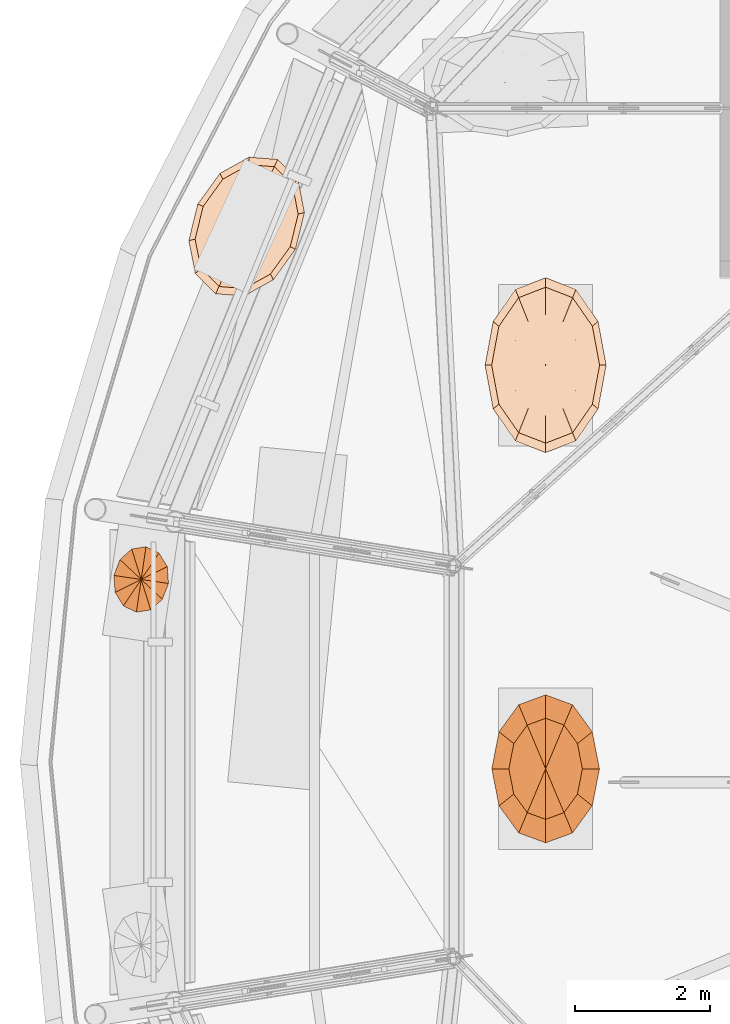
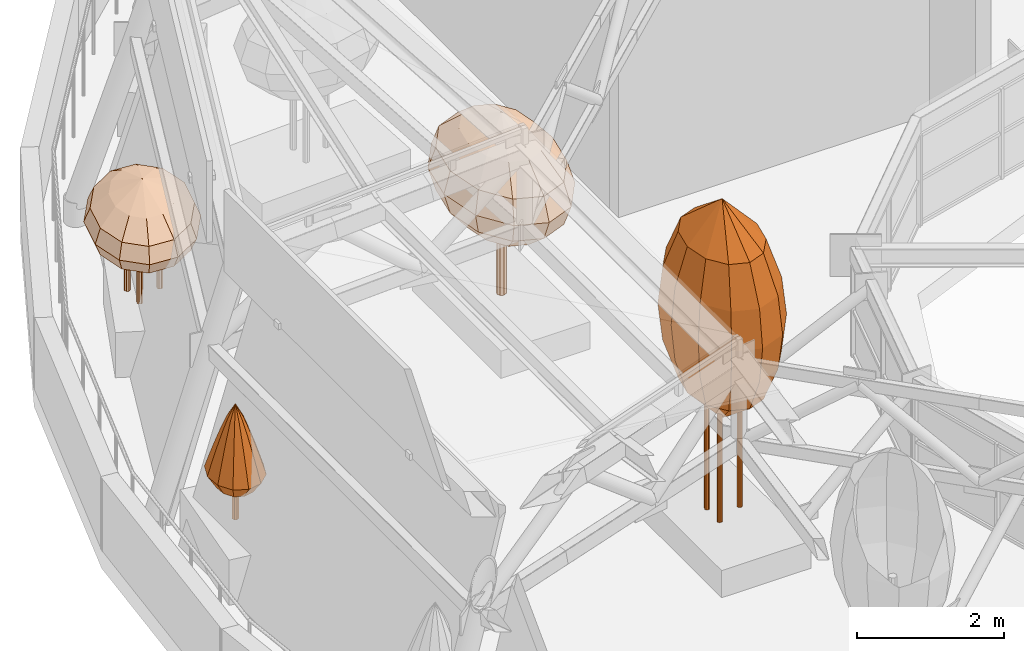
# One storey, part 34 of 40: 4 geographic elements.
"""IFC4 building model written with IfcOpenShell, lengths in metres."""

from ifc_helpers import new_model, si_unit, direction, frame, origin, place, context, subcontext, project, spatial, faceted_brep, material, constituent, constituent_set, type_object, element, save


model = new_model("IFC4")

# Units and contexts
model_context = context("Model", 3, precision=1e-05, world=origin(), true_north=direction((0.0, 1.0)))
body_context = subcontext(model_context, "Body", "Model", "MODEL_VIEW")
ifc_project = project(units=[si_unit("LENGTHUNIT", "METRE"), si_unit("AREAUNIT", "SQUARE_METRE"), si_unit("VOLUMEUNIT", "CUBIC_METRE"), si_unit("PLANEANGLEUNIT", "RADIAN"), si_unit("MASSUNIT", "GRAM", prefix="KILO")], contexts=[model_context])

# Site, building, storey
site_placement = place(None, origin())
site = spatial("IfcSite", under=ifc_project, at=site_placement, CompositionType="ELEMENT")
building_placement = place(site_placement, origin())
building = spatial("IfcBuilding", under=site, at=building_placement, Name="Taillehof Tower", CompositionType="ELEMENT")
storey_placement = place(building_placement, frame((0.0, 0.0, 275.199951171875)))
storey = spatial("IfcBuildingStorey", under=building, at=storey_placement, Name="L77", CompositionType="ELEMENT", Elevation=275.199951171875)

# Geographic elements
ifc_material_1 = material(Name="Tree bark", Category="timber")
ifc_constituent_1 = constituent(ifc_material_1, Name="Trunk", Category="timber")
ifc_material_2 = material(Name="Tree foliage")
ifc_constituent_2 = constituent(ifc_material_2, Name="Crown")
ifc_constituent_set_1 = constituent_set(constituents=[ifc_constituent_1, ifc_constituent_2], Name="Tree TR10 Scots pine standard")
geographic_element_type_1 = type_object("IfcGeographicElementType", Name="Tree TR10 Scots pine standard", PredefinedType="USERDEFINED", material=ifc_constituent_set_1)
geographic_element_1_placement = place(storey_placement, frame((-23.1015625, 3.014892578125, 0.75)))
element("IfcGeographicElement", 1, at=geographic_element_1_placement, inside=storey, type_object=geographic_element_type_1, Name="Tree TR10 Scots pine standard", ObjectType="TREE", PredefinedType="USERDEFINED", context=body_context, shape_type="Brep", body=[
    faceted_brep([(0.050048828125, 0.0, 0.0), (0.035400390625, 0.035400390625, 0.0), (0.035400390625, 0.035400390625, 1.035400390625), (0.050048828125, 0.0, 1.035400390625), (0.0, 0.050048828125, 0.0), (0.0, 0.050048828125, 1.035400390625), (-0.035400390625, 0.035400390625, 0.0), (-0.035400390625, 0.035400390625, 1.035400390625), (-0.050048828125, 0.0, 0.0), (-0.050048828125, 0.0, 1.035400390625), (-0.035400390625, -0.035400390625, 0.0), (-0.035400390625, -0.035400390625, 1.035400390625), (0.0, -0.050048828125, 0.0), (0.0, -0.050048828125, 1.035400390625), (0.035400390625, -0.035400390625, 0.0), (0.035400390625, -0.035400390625, 1.035400390625)], [[[0, 1, 2, 3]], [[1, 4, 5, 2]], [[4, 6, 7, 5]], [[6, 8, 9, 7]], [[8, 10, 11, 9]], [[10, 12, 13, 11]], [[12, 14, 15, 13]], [[14, 0, 3, 15]], [[14, 12, 10, 8, 6, 4, 1, 0]], [[3, 2, 5, 7, 9, 11, 13, 15]]]),
    faceted_brep([(-0.0478515625, -0.326416015625, 0.570068359375), (0.094482421875, -0.302734375, 0.570068359375), (0.14111328125, -0.451904296875, 0.791748046875), (-0.071533203125, -0.4873046875, 0.791748046875), (0.211669921875, -0.19775390625, 0.570068359375), (0.31591796875, -0.29541015625, 0.791748046875), (0.27197265625, -0.0400390625, 0.570068359375), (0.40625, -0.0595703125, 0.791748046875), (0.259521484375, 0.128662109375, 0.570068359375), (0.387451171875, 0.192138671875, 0.791748046875), (0.177490234375, 0.2626953125, 0.570068359375), (0.26513671875, 0.392333984375, 0.791748046875), (0.0478515625, 0.326416015625, 0.570068359375), (0.071533203125, 0.4873046875, 0.791748046875), (-0.094482421875, 0.302734375, 0.570068359375), (-0.14111328125, 0.451904296875, 0.791748046875), (-0.211669921875, 0.19775390625, 0.570068359375), (-0.31591796875, 0.29541015625, 0.791748046875), (-0.27197265625, 0.0400390625, 0.570068359375), (-0.40625, 0.0595703125, 0.791748046875), (-0.259521484375, -0.128662109375, 0.570068359375), (-0.387451171875, -0.192138671875, 0.791748046875), (-0.177490234375, -0.2626953125, 0.570068359375), (-0.26513671875, -0.392333984375, 0.791748046875), (0.117919921875, -0.3779296875, 1.013427734375), (-0.059814453125, -0.40771484375, 1.013427734375), (0.264404296875, -0.2470703125, 1.013427734375), (0.33984375, -0.0498046875, 1.013427734375), (0.32421875, 0.16064453125, 1.013427734375), (0.2216796875, 0.328125, 1.013427734375), (0.059814453125, 0.40771484375, 1.013427734375), (-0.117919921875, 0.3779296875, 1.013427734375), (-0.264404296875, 0.2470703125, 1.013427734375), (-0.33984375, 0.0498046875, 1.013427734375), (-0.32421875, -0.16064453125, 1.013427734375), (-0.2216796875, -0.328125, 1.013427734375), (0.09375, -0.30029296875, 1.235107421875), (-0.047607421875, -0.323974609375, 1.235107421875), (0.2099609375, -0.1962890625, 1.235107421875), (0.27001953125, -0.03955078125, 1.235107421875), (0.257568359375, 0.127685546875, 1.235107421875), (0.17626953125, 0.2607421875, 1.235107421875), (0.047607421875, 0.323974609375, 1.235107421875), (-0.09375, 0.30029296875, 1.235107421875), (-0.2099609375, 0.1962890625, 1.235107421875), (-0.27001953125, 0.03955078125, 1.235107421875), (-0.257568359375, -0.127685546875, 1.235107421875), (-0.17626953125, -0.2607421875, 1.235107421875), (0.06787109375, -0.217041015625, 1.456787109375), (-0.034423828125, -0.234130859375, 1.456787109375), (0.15185546875, -0.141845703125, 1.456787109375), (0.195068359375, -0.028564453125, 1.456787109375), (0.186279296875, 0.09228515625, 1.456787109375), (0.12744140625, 0.1884765625, 1.456787109375), (0.034423828125, 0.234130859375, 1.456787109375), (-0.06787109375, 0.217041015625, 1.456787109375), (-0.15185546875, 0.141845703125, 1.456787109375), (-0.195068359375, 0.028564453125, 1.456787109375), (-0.186279296875, -0.09228515625, 1.456787109375), (-0.12744140625, -0.1884765625, 1.456787109375), (0.038818359375, -0.124755859375, 1.67822265625), (-0.019775390625, -0.134521484375, 1.67822265625), (0.087158203125, -0.08154296875, 1.67822265625), (0.112060546875, -0.016357421875, 1.67822265625), (0.10693359375, 0.052978515625, 1.67822265625), (0.0732421875, 0.108154296875, 1.67822265625), (0.019775390625, 0.134521484375, 1.67822265625), (-0.038818359375, 0.124755859375, 1.67822265625), (-0.087158203125, 0.08154296875, 1.67822265625), (-0.112060546875, 0.016357421875, 1.67822265625), (-0.10693359375, -0.052978515625, 1.67822265625), (-0.0732421875, -0.108154296875, 1.67822265625), (0.0, 0.0, 1.89990234375)], [[[0, 1, 2, 3]], [[1, 4, 5, 2]], [[4, 6, 7, 5]], [[6, 8, 9, 7]], [[8, 10, 11, 9]], [[10, 12, 13, 11]], [[12, 14, 15, 13]], [[14, 16, 17, 15]], [[16, 18, 19, 17]], [[18, 20, 21, 19]], [[20, 22, 23, 21]], [[22, 0, 3, 23]], [[3, 2, 24, 25]], [[2, 5, 26, 24]], [[5, 7, 27, 26]], [[7, 9, 28, 27]], [[9, 11, 29, 28]], [[11, 13, 30, 29]], [[13, 15, 31, 30]], [[15, 17, 32, 31]], [[17, 19, 33, 32]], [[19, 21, 34, 33]], [[21, 23, 35, 34]], [[23, 3, 25, 35]], [[25, 24, 36, 37]], [[24, 26, 38, 36]], [[26, 27, 39, 38]], [[27, 28, 40, 39]], [[28, 29, 41, 40]], [[29, 30, 42, 41]], [[30, 31, 43, 42]], [[31, 32, 44, 43]], [[32, 33, 45, 44]], [[33, 34, 46, 45]], [[34, 35, 47, 46]], [[35, 25, 37, 47]], [[37, 36, 48, 49]], [[36, 38, 50, 48]], [[38, 39, 51, 50]], [[39, 40, 52, 51]], [[40, 41, 53, 52]], [[41, 42, 54, 53]], [[42, 43, 55, 54]], [[43, 44, 56, 55]], [[44, 45, 57, 56]], [[45, 46, 58, 57]], [[46, 47, 59, 58]], [[47, 37, 49, 59]], [[49, 48, 60, 61]], [[48, 50, 62, 60]], [[50, 51, 63, 62]], [[51, 52, 64, 63]], [[52, 53, 65, 64]], [[53, 54, 66, 65]], [[54, 55, 67, 66]], [[55, 56, 68, 67]], [[56, 57, 69, 68]], [[57, 58, 70, 69]], [[58, 59, 71, 70]], [[59, 49, 61, 71]], [[61, 60, 72]], [[60, 62, 72]], [[62, 63, 72]], [[63, 64, 72]], [[64, 65, 72]], [[65, 66, 72]], [[66, 67, 72]], [[67, 68, 72]], [[68, 69, 72]], [[69, 70, 72]], [[70, 71, 72]], [[71, 61, 72]], [[22, 20, 18, 16, 14, 12, 10, 8, 6, 4, 1, 0]]]),
])
ifc_material_3 = material(Name="Tree bark", Category="timber")
ifc_constituent_3 = constituent(ifc_material_3, Name="Trunk", Category="timber")
ifc_material_4 = material(Name="Tree foliage")
ifc_constituent_4 = constituent(ifc_material_4, Name="Crown")
ifc_constituent_set_2 = constituent_set(constituents=[ifc_constituent_3, ifc_constituent_4], Name="Tree TR6 Field maple")
geographic_element_type_2 = type_object("IfcGeographicElementType", Name="Tree TR6 Field maple", PredefinedType="USERDEFINED", material=ifc_constituent_set_2)
geographic_element_2_placement = place(storey_placement, frame((-17.090087890625, 6.199951171875, 0.449951171875)))
element("IfcGeographicElement", 2, at=geographic_element_2_placement, inside=storey, type_object=geographic_element_type_2, Name="Tree TR6 Field maple", ObjectType="TREE", PredefinedType="USERDEFINED", context=body_context, shape_type="Brep", body=[
    faceted_brep([(0.070068359375, 0.0, 0.0), (0.049560546875, 0.049560546875, 0.0), (0.049560546875, 0.049560546875, 1.635009765625), (0.070068359375, 0.0, 1.635009765625), (0.0, 0.070068359375, 0.0), (0.0, 0.070068359375, 1.635009765625), (-0.049560546875, 0.049560546875, 0.0), (-0.049560546875, 0.049560546875, 1.635009765625), (-0.070068359375, 0.0, 0.0), (-0.070068359375, 0.0, 1.635009765625), (-0.049560546875, -0.049560546875, 0.0), (-0.049560546875, -0.049560546875, 1.635009765625), (0.0, -0.070068359375, 0.0), (0.0, -0.070068359375, 1.635009765625), (0.049560546875, -0.049560546875, 0.0), (0.049560546875, -0.049560546875, 1.635009765625)], [[[0, 1, 2, 3]], [[1, 4, 5, 2]], [[4, 6, 7, 5]], [[6, 8, 9, 7]], [[8, 10, 11, 9]], [[10, 12, 13, 11]], [[12, 14, 15, 13]], [[14, 0, 3, 15]], [[14, 12, 10, 8, 6, 4, 1, 0]], [[3, 2, 5, 7, 9, 11, 13, 15]]]),
    faceted_brep([(0.0, 0.0, 0.89990234375), (-0.258544921875, 0.646728515625, 1.25), (0.0, 0.74658203125, 1.25), (-0.44775390625, 0.373291015625, 1.25), (-0.516845703125, 0.0, 1.25), (-0.44775390625, -0.373291015625, 1.25), (-0.258544921875, -0.646728515625, 1.25), (0.0, -0.74658203125, 1.25), (0.258544921875, -0.646728515625, 1.25), (0.44775390625, -0.373291015625, 1.25), (0.516845703125, 0.0, 1.25), (0.44775390625, 0.373291015625, 1.25), (0.258544921875, 0.646728515625, 1.25), (-0.401123046875, 1.00341796875, 1.60009765625), (0.0, 1.15869140625, 1.60009765625), (-0.694580078125, 0.579345703125, 1.60009765625), (-0.80224609375, 0.0, 1.60009765625), (-0.694580078125, -0.579345703125, 1.60009765625), (-0.401123046875, -1.00341796875, 1.60009765625), (0.0, -1.15869140625, 1.60009765625), (0.401123046875, -1.00341796875, 1.60009765625), (0.694580078125, -0.579345703125, 1.60009765625), (0.80224609375, 0.0, 1.60009765625), (0.694580078125, 0.579345703125, 1.60009765625), (0.401123046875, 1.00341796875, 1.60009765625), (-0.449951171875, 1.125732421875, 1.949951171875), (0.0, 1.300048828125, 1.949951171875), (-0.779541015625, 0.64990234375, 1.949951171875), (-0.89990234375, 0.0, 1.949951171875), (-0.779541015625, -0.64990234375, 1.949951171875), (-0.449951171875, -1.125732421875, 1.949951171875), (0.0, -1.300048828125, 1.949951171875), (0.449951171875, -1.125732421875, 1.949951171875), (0.779541015625, -0.64990234375, 1.949951171875), (0.89990234375, 0.0, 1.949951171875), (0.779541015625, 0.64990234375, 1.949951171875), (0.449951171875, 1.125732421875, 1.949951171875), (-0.401123046875, 1.00341796875, 2.300048828125), (0.0, 1.15869140625, 2.300048828125), (-0.694580078125, 0.579345703125, 2.300048828125), (-0.80224609375, 0.0, 2.300048828125), (-0.694580078125, -0.579345703125, 2.300048828125), (-0.401123046875, -1.00341796875, 2.300048828125), (0.0, -1.15869140625, 2.300048828125), (0.401123046875, -1.00341796875, 2.300048828125), (0.694580078125, -0.579345703125, 2.300048828125), (0.80224609375, 0.0, 2.300048828125), (0.694580078125, 0.579345703125, 2.300048828125), (0.401123046875, 1.00341796875, 2.300048828125), (-0.258544921875, 0.646728515625, 2.64990234375), (0.0, 0.74658203125, 2.64990234375), (-0.44775390625, 0.373291015625, 2.64990234375), (-0.516845703125, 0.0, 2.64990234375), (-0.44775390625, -0.373291015625, 2.64990234375), (-0.258544921875, -0.646728515625, 2.64990234375), (0.0, -0.74658203125, 2.64990234375), (0.258544921875, -0.646728515625, 2.64990234375), (0.44775390625, -0.373291015625, 2.64990234375), (0.516845703125, 0.0, 2.64990234375), (0.44775390625, 0.373291015625, 2.64990234375), (0.258544921875, 0.646728515625, 2.64990234375), (0.0, 0.0, 3.0)], [[[0, 1, 2]], [[0, 3, 1]], [[0, 4, 3]], [[0, 5, 4]], [[0, 6, 5]], [[0, 7, 6]], [[0, 8, 7]], [[0, 9, 8]], [[0, 10, 9]], [[0, 11, 10]], [[0, 12, 11]], [[0, 2, 12]], [[2, 1, 13, 14]], [[1, 3, 15, 13]], [[3, 4, 16, 15]], [[4, 5, 17, 16]], [[5, 6, 18, 17]], [[6, 7, 19, 18]], [[7, 8, 20, 19]], [[8, 9, 21, 20]], [[9, 10, 22, 21]], [[10, 11, 23, 22]], [[11, 12, 24, 23]], [[12, 2, 14, 24]], [[14, 13, 25, 26]], [[13, 15, 27, 25]], [[15, 16, 28, 27]], [[16, 17, 29, 28]], [[17, 18, 30, 29]], [[18, 19, 31, 30]], [[19, 20, 32, 31]], [[20, 21, 33, 32]], [[21, 22, 34, 33]], [[22, 23, 35, 34]], [[23, 24, 36, 35]], [[24, 14, 26, 36]], [[26, 25, 37, 38]], [[25, 27, 39, 37]], [[27, 28, 40, 39]], [[28, 29, 41, 40]], [[29, 30, 42, 41]], [[30, 31, 43, 42]], [[31, 32, 44, 43]], [[32, 33, 45, 44]], [[33, 34, 46, 45]], [[34, 35, 47, 46]], [[35, 36, 48, 47]], [[36, 26, 38, 48]], [[38, 37, 49, 50]], [[37, 39, 51, 49]], [[39, 40, 52, 51]], [[40, 41, 53, 52]], [[41, 42, 54, 53]], [[42, 43, 55, 54]], [[43, 44, 56, 55]], [[44, 45, 57, 56]], [[45, 46, 58, 57]], [[46, 47, 59, 58]], [[47, 48, 60, 59]], [[48, 38, 50, 60]], [[50, 49, 61]], [[49, 51, 61]], [[51, 52, 61]], [[52, 53, 61]], [[53, 54, 61]], [[54, 55, 61]], [[55, 56, 61]], [[56, 57, 61]], [[57, 58, 61]], [[58, 59, 61]], [[59, 60, 61]], [[60, 50, 61]]]),
])
ifc_material_5 = material(Name="Tree bark", Category="timber")
ifc_constituent_5 = constituent(ifc_material_5, Name="Trunk", Category="timber")
ifc_material_6 = material(Name="Tree foliage")
ifc_constituent_6 = constituent(ifc_material_6, Name="Crown")
ifc_constituent_set_3 = constituent_set(constituents=[ifc_constituent_5, ifc_constituent_6], Name="Tree TR7 Himalayan birch")
geographic_element_type_3 = type_object("IfcGeographicElementType", Name="Tree TR7 Himalayan birch", PredefinedType="USERDEFINED", material=ifc_constituent_set_3)
geographic_element_3_placement = place(storey_placement, frame((-17.090087890625, 0.199951171875, 0.449951171875)))
element("IfcGeographicElement", 3, at=geographic_element_3_placement, inside=storey, type_object=geographic_element_type_3, Name="Tree TR7 Himalayan birch", ObjectType="TREE", PredefinedType="USERDEFINED", context=body_context, shape_type="Brep", body=[
    faceted_brep([(0.3134765625, 0.0, 0.0), (0.30224609375, 0.027099609375, 0.0), (0.30224609375, 0.027099609375, 2.833984375), (0.3134765625, 0.0, 2.833984375), (0.27490234375, 0.03857421875, 0.0), (0.27490234375, 0.03857421875, 2.833984375), (0.247802734375, 0.027099609375, 0.0), (0.247802734375, 0.027099609375, 2.833984375), (0.236572265625, 0.0, 0.0), (0.236572265625, 0.0, 2.833984375), (0.247802734375, -0.027099609375, 0.0), (0.247802734375, -0.027099609375, 2.833984375), (0.27490234375, -0.03857421875, 0.0), (0.27490234375, -0.03857421875, 2.833984375), (0.30224609375, -0.027099609375, 0.0), (0.30224609375, -0.027099609375, 2.833984375)], [[[0, 1, 2, 3]], [[1, 4, 5, 2]], [[4, 6, 7, 5]], [[6, 8, 9, 7]], [[8, 10, 11, 9]], [[10, 12, 13, 11]], [[12, 14, 15, 13]], [[14, 0, 3, 15]], [[14, 12, 10, 8, 6, 4, 1, 0]], [[3, 2, 5, 7, 9, 11, 13, 15]]]),
    faceted_brep([(-0.09912109375, 0.173095703125, 0.0), (-0.1103515625, 0.200439453125, 0.0), (-0.1103515625, 0.200439453125, 2.833984375), (-0.09912109375, 0.173095703125, 2.833984375), (-0.137451171875, 0.211669921875, 0.0), (-0.137451171875, 0.211669921875, 2.833984375), (-0.164794921875, 0.200439453125, 0.0), (-0.164794921875, 0.200439453125, 2.833984375), (-0.176025390625, 0.173095703125, 0.0), (-0.176025390625, 0.173095703125, 2.833984375), (-0.164794921875, 0.14599609375, 0.0), (-0.164794921875, 0.14599609375, 2.833984375), (-0.137451171875, 0.134765625, 0.0), (-0.137451171875, 0.134765625, 2.833984375), (-0.1103515625, 0.14599609375, 0.0), (-0.1103515625, 0.14599609375, 2.833984375)], [[[0, 1, 2, 3]], [[1, 4, 5, 2]], [[4, 6, 7, 5]], [[6, 8, 9, 7]], [[8, 10, 11, 9]], [[10, 12, 13, 11]], [[12, 14, 15, 13]], [[14, 0, 3, 15]], [[14, 12, 10, 8, 6, 4, 1, 0]], [[3, 2, 5, 7, 9, 11, 13, 15]]]),
    faceted_brep([(-0.09912109375, -0.173095703125, 0.0), (-0.1103515625, -0.14599609375, 0.0), (-0.1103515625, -0.14599609375, 2.833984375), (-0.09912109375, -0.173095703125, 2.833984375), (-0.137451171875, -0.134765625, 0.0), (-0.137451171875, -0.134765625, 2.833984375), (-0.164794921875, -0.14599609375, 0.0), (-0.164794921875, -0.14599609375, 2.833984375), (-0.176025390625, -0.173095703125, 0.0), (-0.176025390625, -0.173095703125, 2.833984375), (-0.164794921875, -0.200439453125, 0.0), (-0.164794921875, -0.200439453125, 2.833984375), (-0.137451171875, -0.211669921875, 0.0), (-0.137451171875, -0.211669921875, 2.833984375), (-0.1103515625, -0.200439453125, 0.0), (-0.1103515625, -0.200439453125, 2.833984375)], [[[0, 1, 2, 3]], [[1, 4, 5, 2]], [[4, 6, 7, 5]], [[6, 8, 9, 7]], [[8, 10, 11, 9]], [[10, 12, 13, 11]], [[12, 14, 15, 13]], [[14, 0, 3, 15]], [[14, 12, 10, 8, 6, 4, 1, 0]], [[3, 2, 5, 7, 9, 11, 13, 15]]]),
    faceted_brep([(0.0, 0.0, 1.56005859375), (-0.273193359375, 0.650634765625, 2.166748046875), (0.0, 0.751220703125, 2.166748046875), (-0.47314453125, 0.375732421875, 2.166748046875), (-0.54638671875, 0.0, 2.166748046875), (-0.47314453125, -0.375732421875, 2.166748046875), (-0.273193359375, -0.650634765625, 2.166748046875), (0.0, -0.751220703125, 2.166748046875), (0.273193359375, -0.650634765625, 2.166748046875), (0.47314453125, -0.375732421875, 2.166748046875), (0.54638671875, 0.0, 2.166748046875), (0.47314453125, 0.375732421875, 2.166748046875), (0.273193359375, 0.650634765625, 2.166748046875), (-0.36962890625, 0.880126953125, 2.7734375), (0.0, 1.016357421875, 2.7734375), (-0.64013671875, 0.508056640625, 2.7734375), (-0.7392578125, 0.0, 2.7734375), (-0.64013671875, -0.508056640625, 2.7734375), (-0.36962890625, -0.880126953125, 2.7734375), (0.0, -1.016357421875, 2.7734375), (0.36962890625, -0.880126953125, 2.7734375), (0.64013671875, -0.508056640625, 2.7734375), (0.7392578125, 0.0, 2.7734375), (0.64013671875, 0.508056640625, 2.7734375), (0.36962890625, 0.880126953125, 2.7734375), (-0.39990234375, 0.95263671875, 3.3798828125), (0.0, 1.10009765625, 3.3798828125), (-0.69287109375, 0.550048828125, 3.3798828125), (-0.800048828125, 0.0, 3.3798828125), (-0.69287109375, -0.550048828125, 3.3798828125), (-0.39990234375, -0.95263671875, 3.3798828125), (0.0, -1.10009765625, 3.3798828125), (0.39990234375, -0.95263671875, 3.3798828125), (0.69287109375, -0.550048828125, 3.3798828125), (0.800048828125, 0.0, 3.3798828125), (0.69287109375, 0.550048828125, 3.3798828125), (0.39990234375, 0.95263671875, 3.3798828125), (-0.36962890625, 0.880126953125, 3.986572265625), (0.0, 1.016357421875, 3.986572265625), (-0.64013671875, 0.508056640625, 3.986572265625), (-0.7392578125, 0.0, 3.986572265625), (-0.64013671875, -0.508056640625, 3.986572265625), (-0.36962890625, -0.880126953125, 3.986572265625), (0.0, -1.016357421875, 3.986572265625), (0.36962890625, -0.880126953125, 3.986572265625), (0.64013671875, -0.508056640625, 3.986572265625), (0.7392578125, 0.0, 3.986572265625), (0.64013671875, 0.508056640625, 3.986572265625), (0.36962890625, 0.880126953125, 3.986572265625), (-0.273193359375, 0.650634765625, 4.59326171875), (0.0, 0.751220703125, 4.59326171875), (-0.47314453125, 0.375732421875, 4.59326171875), (-0.54638671875, 0.0, 4.59326171875), (-0.47314453125, -0.375732421875, 4.59326171875), (-0.273193359375, -0.650634765625, 4.59326171875), (0.0, -0.751220703125, 4.59326171875), (0.273193359375, -0.650634765625, 4.59326171875), (0.47314453125, -0.375732421875, 4.59326171875), (0.54638671875, 0.0, 4.59326171875), (0.47314453125, 0.375732421875, 4.59326171875), (0.273193359375, 0.650634765625, 4.59326171875), (0.0, 0.0, 5.199951171875)], [[[0, 1, 2]], [[0, 3, 1]], [[0, 4, 3]], [[0, 5, 4]], [[0, 6, 5]], [[0, 7, 6]], [[0, 8, 7]], [[0, 9, 8]], [[0, 10, 9]], [[0, 11, 10]], [[0, 12, 11]], [[0, 2, 12]], [[2, 1, 13, 14]], [[1, 3, 15, 13]], [[3, 4, 16, 15]], [[4, 5, 17, 16]], [[5, 6, 18, 17]], [[6, 7, 19, 18]], [[7, 8, 20, 19]], [[8, 9, 21, 20]], [[9, 10, 22, 21]], [[10, 11, 23, 22]], [[11, 12, 24, 23]], [[12, 2, 14, 24]], [[14, 13, 25, 26]], [[13, 15, 27, 25]], [[15, 16, 28, 27]], [[16, 17, 29, 28]], [[17, 18, 30, 29]], [[18, 19, 31, 30]], [[19, 20, 32, 31]], [[20, 21, 33, 32]], [[21, 22, 34, 33]], [[22, 23, 35, 34]], [[23, 24, 36, 35]], [[24, 14, 26, 36]], [[26, 25, 37, 38]], [[25, 27, 39, 37]], [[27, 28, 40, 39]], [[28, 29, 41, 40]], [[29, 30, 42, 41]], [[30, 31, 43, 42]], [[31, 32, 44, 43]], [[32, 33, 45, 44]], [[33, 34, 46, 45]], [[34, 35, 47, 46]], [[35, 36, 48, 47]], [[36, 26, 38, 48]], [[38, 37, 49, 50]], [[37, 39, 51, 49]], [[39, 40, 52, 51]], [[40, 41, 53, 52]], [[41, 42, 54, 53]], [[42, 43, 55, 54]], [[43, 44, 56, 55]], [[44, 45, 57, 56]], [[45, 46, 58, 57]], [[46, 47, 59, 58]], [[47, 48, 60, 59]], [[48, 38, 50, 60]], [[50, 49, 61]], [[49, 51, 61]], [[51, 52, 61]], [[52, 53, 61]], [[53, 54, 61]], [[54, 55, 61]], [[55, 56, 61]], [[56, 57, 61]], [[57, 58, 61]], [[58, 59, 61]], [[59, 60, 61]], [[60, 50, 61]]]),
])
ifc_material_7 = material(Name="Tree bark", Category="timber")
ifc_constituent_7 = constituent(ifc_material_7, Name="Trunk", Category="timber")
ifc_material_8 = material(Name="Tree foliage")
ifc_constituent_8 = constituent(ifc_material_8, Name="Crown")
ifc_constituent_set_4 = constituent_set(constituents=[ifc_constituent_7, ifc_constituent_8], Name="Tree TR9 Multi-stem hawthorn")
geographic_element_type_4 = type_object("IfcGeographicElementType", Name="Tree TR9 Multi-stem hawthorn", PredefinedType="USERDEFINED", material=ifc_constituent_set_4)
geographic_element_4_placement = place(storey_placement, frame((-21.533935546875, 8.259765625, 0.75)))
element("IfcGeographicElement", 4, at=geographic_element_4_placement, inside=storey, type_object=geographic_element_type_4, Name="Tree TR9 Multi-stem hawthorn", ObjectType="TREE", PredefinedType="USERDEFINED", context=body_context, shape_type="Brep", body=[
    faceted_brep([(0.31982421875, 0.0, 0.0), (0.306640625, 0.03173828125, 0.0), (0.306640625, 0.03173828125, 1.035400390625), (0.31982421875, 0.0, 1.035400390625), (0.27490234375, 0.044921875, 0.0), (0.27490234375, 0.044921875, 1.035400390625), (0.2431640625, 0.03173828125, 0.0), (0.2431640625, 0.03173828125, 1.035400390625), (0.22998046875, 0.0, 0.0), (0.22998046875, 0.0, 1.035400390625), (0.2431640625, -0.03173828125, 0.0), (0.2431640625, -0.03173828125, 1.035400390625), (0.27490234375, -0.044921875, 0.0), (0.27490234375, -0.044921875, 1.035400390625), (0.306640625, -0.03173828125, 0.0), (0.306640625, -0.03173828125, 1.035400390625)], [[[0, 1, 2, 3]], [[1, 4, 5, 2]], [[4, 6, 7, 5]], [[6, 8, 9, 7]], [[8, 10, 11, 9]], [[10, 12, 13, 11]], [[12, 14, 15, 13]], [[14, 0, 3, 15]], [[14, 12, 10, 8, 6, 4, 1, 0]], [[3, 2, 5, 7, 9, 11, 13, 15]]]),
    faceted_brep([(-0.092529296875, 0.173095703125, 0.0), (-0.105712890625, 0.205078125, 0.0), (-0.105712890625, 0.205078125, 1.035400390625), (-0.092529296875, 0.173095703125, 1.035400390625), (-0.137451171875, 0.218017578125, 0.0), (-0.137451171875, 0.218017578125, 1.035400390625), (-0.169189453125, 0.205078125, 0.0), (-0.169189453125, 0.205078125, 1.035400390625), (-0.182373046875, 0.173095703125, 0.0), (-0.182373046875, 0.173095703125, 1.035400390625), (-0.169189453125, 0.141357421875, 0.0), (-0.169189453125, 0.141357421875, 1.035400390625), (-0.137451171875, 0.12841796875, 0.0), (-0.137451171875, 0.12841796875, 1.035400390625), (-0.105712890625, 0.141357421875, 0.0), (-0.105712890625, 0.141357421875, 1.035400390625)], [[[0, 1, 2, 3]], [[1, 4, 5, 2]], [[4, 6, 7, 5]], [[6, 8, 9, 7]], [[8, 10, 11, 9]], [[10, 12, 13, 11]], [[12, 14, 15, 13]], [[14, 0, 3, 15]], [[14, 12, 10, 8, 6, 4, 1, 0]], [[3, 2, 5, 7, 9, 11, 13, 15]]]),
    faceted_brep([(-0.092529296875, -0.173095703125, 0.0), (-0.105712890625, -0.141357421875, 0.0), (-0.105712890625, -0.141357421875, 1.035400390625), (-0.092529296875, -0.173095703125, 1.035400390625), (-0.137451171875, -0.12841796875, 0.0), (-0.137451171875, -0.12841796875, 1.035400390625), (-0.169189453125, -0.141357421875, 0.0), (-0.169189453125, -0.141357421875, 1.035400390625), (-0.182373046875, -0.173095703125, 0.0), (-0.182373046875, -0.173095703125, 1.035400390625), (-0.169189453125, -0.205078125, 0.0), (-0.169189453125, -0.205078125, 1.035400390625), (-0.137451171875, -0.218017578125, 0.0), (-0.137451171875, -0.218017578125, 1.035400390625), (-0.105712890625, -0.205078125, 0.0), (-0.105712890625, -0.205078125, 1.035400390625)], [[[0, 1, 2, 3]], [[1, 4, 5, 2]], [[4, 6, 7, 5]], [[6, 8, 9, 7]], [[8, 10, 11, 9]], [[10, 12, 13, 11]], [[12, 14, 15, 13]], [[14, 0, 3, 15]], [[14, 12, 10, 8, 6, 4, 1, 0]], [[3, 2, 5, 7, 9, 11, 13, 15]]]),
    faceted_brep([(0.0, 0.0, 0.570068359375), (-0.02099609375, -0.593017578125, 0.791748046875), (-0.264892578125, -0.573486328125, 0.791748046875), (0.228759765625, -0.45361328125, 0.791748046875), (0.417236328125, -0.192626953125, 0.791748046875), (0.49365234375, 0.119873046875, 0.791748046875), (0.43798828125, 0.400390625, 0.791748046875), (0.264892578125, 0.573486328125, 0.791748046875), (0.02099609375, 0.593017578125, 0.791748046875), (-0.228759765625, 0.45361328125, 0.791748046875), (-0.417236328125, 0.192626953125, 0.791748046875), (-0.49365234375, -0.119873046875, 0.791748046875), (-0.43798828125, -0.400390625, 0.791748046875), (-0.032470703125, -0.92041015625, 1.013427734375), (-0.4111328125, -0.89013671875, 1.013427734375), (0.35498046875, -0.7041015625, 1.013427734375), (0.647216796875, -0.299072265625, 1.013427734375), (0.76611328125, 0.18603515625, 1.013427734375), (0.6796875, 0.621337890625, 1.013427734375), (0.4111328125, 0.89013671875, 1.013427734375), (0.032470703125, 0.92041015625, 1.013427734375), (-0.35498046875, 0.7041015625, 1.013427734375), (-0.647216796875, 0.299072265625, 1.013427734375), (-0.76611328125, -0.18603515625, 1.013427734375), (-0.6796875, -0.621337890625, 1.013427734375), (-0.036376953125, -1.032470703125, 1.235107421875), (-0.46142578125, -0.99853515625, 1.235107421875), (0.398193359375, -0.789794921875, 1.235107421875), (0.726318359375, -0.33544921875, 1.235107421875), (0.859619140625, 0.208740234375, 1.235107421875), (0.7626953125, 0.697021484375, 1.235107421875), (0.46142578125, 0.99853515625, 1.235107421875), (0.036376953125, 1.032470703125, 1.235107421875), (-0.398193359375, 0.789794921875, 1.235107421875), (-0.726318359375, 0.33544921875, 1.235107421875), (-0.859619140625, -0.208740234375, 1.235107421875), (-0.7626953125, -0.697021484375, 1.235107421875), (-0.032470703125, -0.92041015625, 1.456787109375), (-0.4111328125, -0.89013671875, 1.456787109375), (0.35498046875, -0.7041015625, 1.456787109375), (0.647216796875, -0.299072265625, 1.456787109375), (0.76611328125, 0.18603515625, 1.456787109375), (0.6796875, 0.621337890625, 1.456787109375), (0.4111328125, 0.89013671875, 1.456787109375), (0.032470703125, 0.92041015625, 1.456787109375), (-0.35498046875, 0.7041015625, 1.456787109375), (-0.647216796875, 0.299072265625, 1.456787109375), (-0.76611328125, -0.18603515625, 1.456787109375), (-0.6796875, -0.621337890625, 1.456787109375), (-0.02099609375, -0.593017578125, 1.67822265625), (-0.264892578125, -0.573486328125, 1.67822265625), (0.228759765625, -0.45361328125, 1.67822265625), (0.417236328125, -0.192626953125, 1.67822265625), (0.49365234375, 0.119873046875, 1.67822265625), (0.43798828125, 0.400390625, 1.67822265625), (0.264892578125, 0.573486328125, 1.67822265625), (0.02099609375, 0.593017578125, 1.67822265625), (-0.228759765625, 0.45361328125, 1.67822265625), (-0.417236328125, 0.192626953125, 1.67822265625), (-0.49365234375, -0.119873046875, 1.67822265625), (-0.43798828125, -0.400390625, 1.67822265625), (0.0, 0.0, 1.89990234375)], [[[0, 1, 2]], [[0, 3, 1]], [[0, 4, 3]], [[0, 5, 4]], [[0, 6, 5]], [[0, 7, 6]], [[0, 8, 7]], [[0, 9, 8]], [[0, 10, 9]], [[0, 11, 10]], [[0, 12, 11]], [[0, 2, 12]], [[2, 1, 13, 14]], [[1, 3, 15, 13]], [[3, 4, 16, 15]], [[4, 5, 17, 16]], [[5, 6, 18, 17]], [[6, 7, 19, 18]], [[7, 8, 20, 19]], [[8, 9, 21, 20]], [[9, 10, 22, 21]], [[10, 11, 23, 22]], [[11, 12, 24, 23]], [[12, 2, 14, 24]], [[14, 13, 25, 26]], [[13, 15, 27, 25]], [[15, 16, 28, 27]], [[16, 17, 29, 28]], [[17, 18, 30, 29]], [[18, 19, 31, 30]], [[19, 20, 32, 31]], [[20, 21, 33, 32]], [[21, 22, 34, 33]], [[22, 23, 35, 34]], [[23, 24, 36, 35]], [[24, 14, 26, 36]], [[26, 25, 37, 38]], [[25, 27, 39, 37]], [[27, 28, 40, 39]], [[28, 29, 41, 40]], [[29, 30, 42, 41]], [[30, 31, 43, 42]], [[31, 32, 44, 43]], [[32, 33, 45, 44]], [[33, 34, 46, 45]], [[34, 35, 47, 46]], [[35, 36, 48, 47]], [[36, 26, 38, 48]], [[38, 37, 49, 50]], [[37, 39, 51, 49]], [[39, 40, 52, 51]], [[40, 41, 53, 52]], [[41, 42, 54, 53]], [[42, 43, 55, 54]], [[43, 44, 56, 55]], [[44, 45, 57, 56]], [[45, 46, 58, 57]], [[46, 47, 59, 58]], [[47, 48, 60, 59]], [[48, 38, 50, 60]], [[50, 49, 61]], [[49, 51, 61]], [[51, 52, 61]], [[52, 53, 61]], [[53, 54, 61]], [[54, 55, 61]], [[55, 56, 61]], [[56, 57, 61]], [[57, 58, 61]], [[58, 59, 61]], [[59, 60, 61]], [[60, 50, 61]]]),
])

save(model, "model.ifc")
